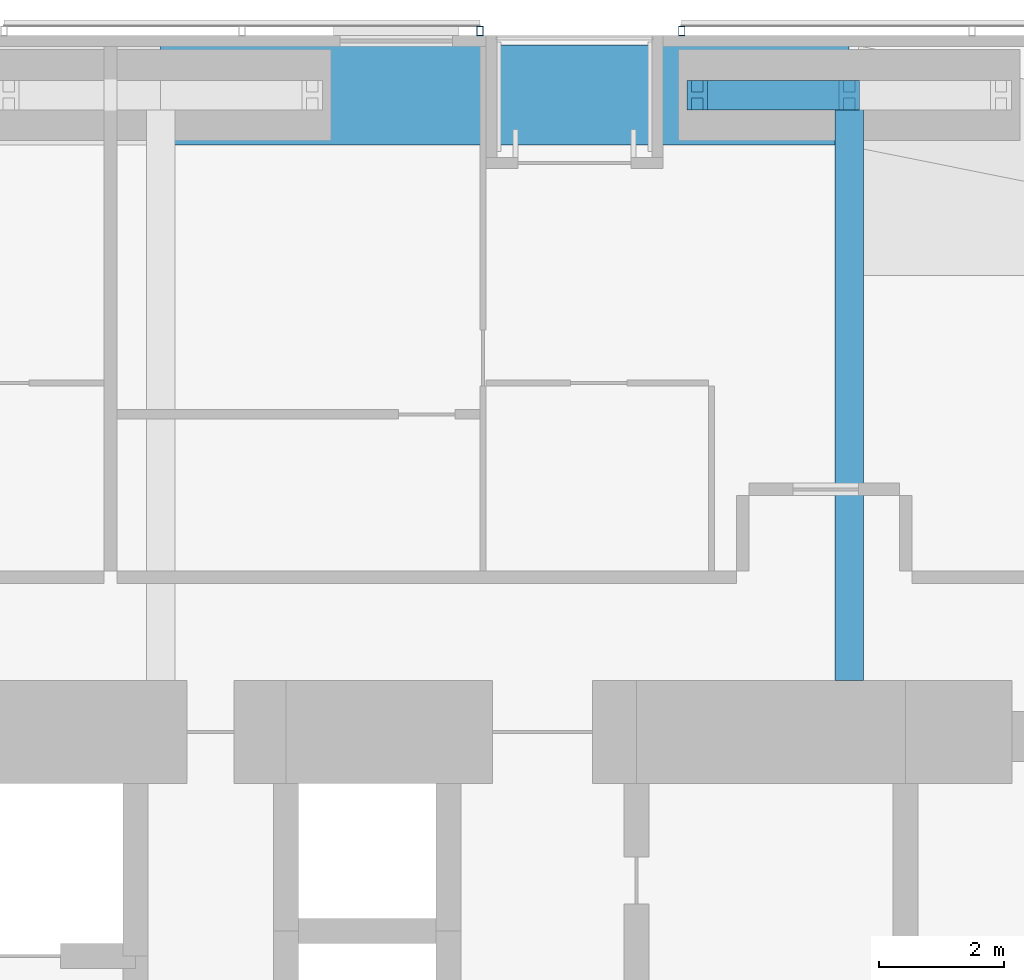
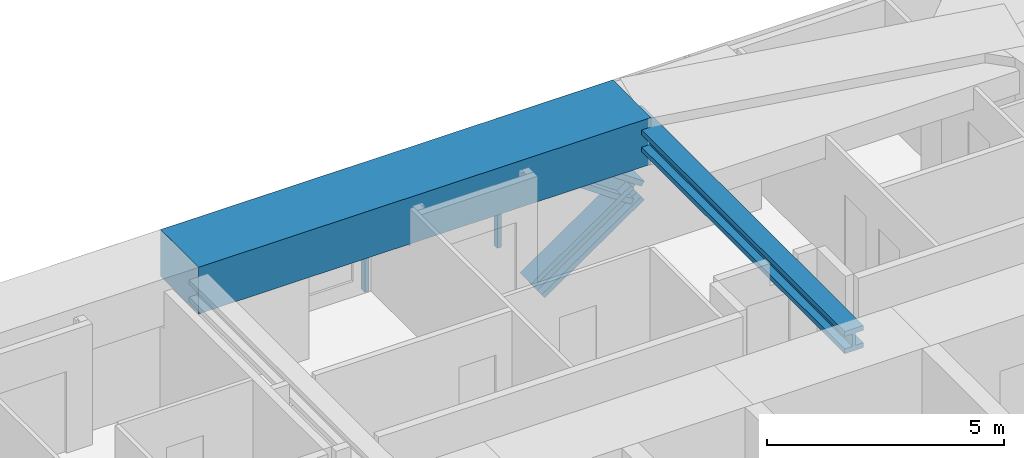
# One storey, part 13 of 23: 4 members, 2 beams, 2 elements without a shape of their own.
"""IFC4 building model written with IfcOpenShell, lengths in metres."""

from ifc_helpers import new_model, si_unit, direction, frame, origin, origin_2d, place, context, subcontext, project, spatial, rectangle, hollow_rectangle, i_section, extrude, material, material_profile, profile_set, type_object, element, aggregate, save


model = new_model("IFC4")

# Units and contexts
model_context = context("Model", 3, precision=1e-05, world=origin(), true_north=direction((0.0, 1.0)))
body_context = subcontext(model_context, "Body", "Model", "MODEL_VIEW")
ifc_project = project(units=[si_unit("LENGTHUNIT", "METRE"), si_unit("AREAUNIT", "SQUARE_METRE"), si_unit("VOLUMEUNIT", "CUBIC_METRE"), si_unit("PLANEANGLEUNIT", "RADIAN"), si_unit("MASSUNIT", "GRAM", prefix="KILO")], contexts=[model_context])

# Site, building, storey
site_placement = place(None, origin())
site = spatial("IfcSite", under=ifc_project, at=site_placement, CompositionType="ELEMENT")
building_placement = place(site_placement, origin())
building = spatial("IfcBuilding", under=site, at=building_placement, Name="Jalousie Tower", CompositionType="ELEMENT")
storey_placement = place(building_placement, frame((0.0, 0.0, 41.10009765625)))
storey = spatial("IfcBuildingStorey", under=building, at=storey_placement, Name="L10", CompositionType="ELEMENT", Elevation=41.10009765625)

# Beam
ifc_material_1 = material(Name="Steel ASTM A992 Grade 50", Category="steel")
ifc_material_profile_1 = material_profile(ifc_material_1, i_section(OverallWidth=0.45458984375, OverallDepth=0.569091796875, WebThickness=0.077880859375, FlangeThickness=0.124755859375, at=origin_2d()), Name="W14X730")
ifc_profile_set_1 = profile_set([ifc_material_profile_1], Name="Steel ASTM A992 Grade 50")
beam_type_1 = type_object("IfcBeamType", Name="LEAN COLLECTOR W14X730", PredefinedType="BEAM", material=ifc_profile_set_1)
beam_1_placement = place(storey_placement, frame((35.0, 37.050048828125, 2.825439453125), z_axis=(0.0, -1.0, 0.0), x_axis=(1.0, 0.0, 0.0)))
element("IfcBeam", 1, at=beam_1_placement, inside=storey, type_object=beam_type_1, Name="Lean collector under L11", PredefinedType="BEAM", context=body_context, shape_type="SweptSolid", body=[
    extrude(i_section(OverallWidth=0.45458984375, OverallDepth=0.569091796875, WebThickness=0.077880859375, FlangeThickness=0.124755859375, at=origin_2d()), origin(), (0.0, 0.0, 1.0), 9.35009765625),
])

# Members
ifc_material_2 = material(Name="Steel ASTM A992 Grade 50", Category="steel")
ifc_material_profile_2 = material_profile(ifc_material_2, i_section(OverallWidth=0.472412109375, OverallDepth=0.5791015625, WebThickness=0.094970703125, FlangeThickness=0.1298828125, at=origin_2d()), Name="W14X808")
ifc_profile_set_2 = profile_set([ifc_material_profile_2], Name="Steel ASTM A992 Grade 50")
member_type_1 = type_object("IfcMemberType", Name="PERIMETER BRACE W14X808", PredefinedType="BRACE", material=ifc_profile_set_2)
for number, where, z_axis, x_axis, name in (
    (2, (32.574951171875, 37.050048828125, -0.60009765625), (0.822800062329, 0.0, 0.568330940062), (0.0, 1.0, 0.0), "Perimeter brace 09 L10 part 1"),
    (3, (35.0, 37.050048828125, 1.074951171875), (-0.822800062329, 0.0, 0.568330940062), (0.0, -1.0, 0.0), "Perimeter brace 09 L10 part 4"),
):
    element("IfcMember", number, at=place(storey_placement, frame(where, z_axis=z_axis, x_axis=x_axis)), inside=storey, type_object=member_type_1, Name=name, PredefinedType="BRACE", context=body_context, shape_type="SweptSolid", body=[
        extrude(i_section(OverallWidth=0.472412109375, OverallDepth=0.5791015625, WebThickness=0.094970703125, FlangeThickness=0.1298828125, at=origin_2d()), origin(), (0.0, 0.0, 1.0), 2.947265625),
    ])

# Beam
ifc_material_3 = material(Name="Concrete f'c 40 MPa", Category="concrete")
ifc_material_profile_3 = material_profile(ifc_material_3, rectangle(XDim=1.60009765625, YDim=1.199951171875, at=origin_2d()), Name="RC 1600x1200")
ifc_profile_set_3 = profile_set([ifc_material_profile_3], Name="Concrete f'c 40 MPa")
beam_type_2 = type_object("IfcBeamType", Name="RC BEAM 1600x1200", PredefinedType="BEAM", material=ifc_profile_set_3)
beam_2_placement = place(storey_placement, frame((35.0, 37.050048828125, 2.75), z_axis=(-1.0, 0.0, 0.0), x_axis=(0.0, -1.0, 0.0)))
element("IfcBeam", 4, at=beam_2_placement, inside=storey, type_object=beam_type_2, Name="Edge band beam 09-10 under L11", PredefinedType="BEAM", context=body_context, shape_type="SweptSolid", body=[
    extrude(rectangle(XDim=1.60009765625, YDim=1.199951171875, at=origin_2d()), origin(), (0.0, 0.0, 1.0), 11.0),
])

# Curtain wall, member
ifc_material_4 = material(Name="Perforated aluminium sheet", Category="aluminium")
curtain_wall_type = type_object("IfcCurtainWallType", Name="SOLAR SCREEN SS-1", PredefinedType="USERDEFINED", material=ifc_material_4)
curtain_wall_1_placement = place(storey_placement, origin())
curtain_wall_1 = element("IfcCurtainWall", 5, at=curtain_wall_1_placement, inside=storey, type_object=curtain_wall_type, Name="Solar screen L10", ObjectType="SOLAR SCREEN SS-1", PredefinedType="USERDEFINED")
ifc_material_5 = material(Name="Steel ASTM A500 Grade C", Category="steel")
ifc_material_profile_4 = material_profile(ifc_material_5, hollow_rectangle(XDim=0.1015625, YDim=0.15234375, WallThickness=0.00634765625, at=origin_2d()), Name="HSS6X4X1/4")
ifc_profile_set_4 = profile_set([ifc_material_profile_4], Name="Steel ASTM A500 Grade C")
member_type_2 = type_object("IfcMemberType", Name="SOLAR SCREEN SS-1 MULLION", PredefinedType="MULLION", material=ifc_profile_set_4)
member_1_placement = place(storey_placement, frame((32.324951171875, 38.0712890625, -0.1201171875), z_axis=(0.0, 0.0, 1.0), x_axis=(-1.0, 0.0, 0.0)))
member_1 = element("IfcMember", 6, at=member_1_placement, type_object=member_type_2, Name="SS1 post 3", PredefinedType="MULLION", context=body_context, shape_type="SweptSolid", body=[
    extrude(hollow_rectangle(XDim=0.1015625, YDim=0.15234375, WallThickness=0.00634765625, at=origin_2d()), origin(), (0.0, 0.0, 1.0), 3.22998046875),
])
aggregate(curtain_wall_1, [member_1])

curtain_wall_2_placement = place(storey_placement, origin())
curtain_wall_2 = element("IfcCurtainWall", 7, at=curtain_wall_2_placement, inside=storey, type_object=curtain_wall_type, Name="Solar screen L10", ObjectType="SOLAR SCREEN SS-1", PredefinedType="USERDEFINED")
member_2_placement = place(storey_placement, frame((29.10009765625, 38.0712890625, -0.1201171875), z_axis=(0.0, 0.0, 1.0), x_axis=(-1.0, 0.0, 0.0)))
member_2 = element("IfcMember", 8, at=member_2_placement, type_object=member_type_2, Name="SS1 post 1", PredefinedType="MULLION", context=body_context, shape_type="SweptSolid", body=[
    extrude(hollow_rectangle(XDim=0.1015625, YDim=0.15234375, WallThickness=0.00634765625, at=origin_2d()), origin(), (0.0, 0.0, 1.0), 3.22998046875),
])
aggregate(curtain_wall_2, [member_2])

save(model, "model.ifc")
